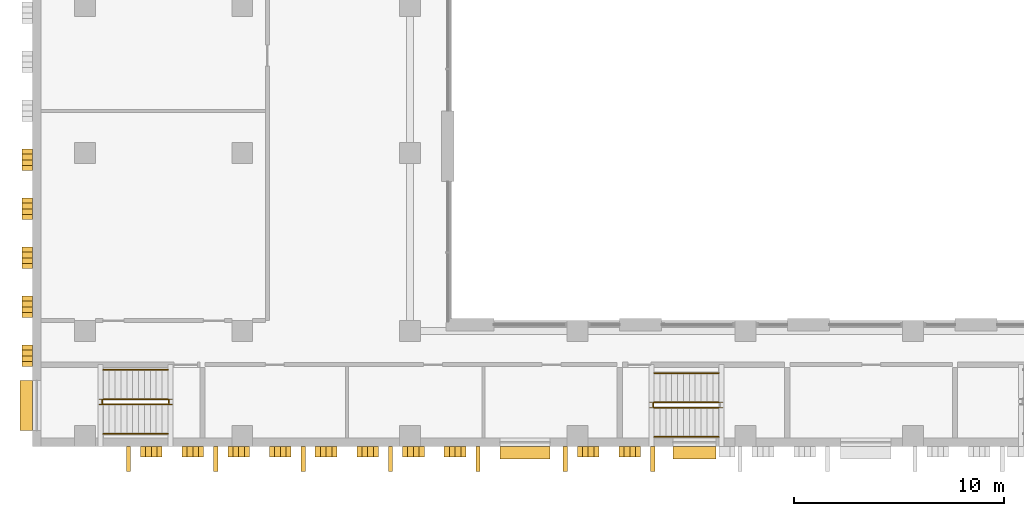
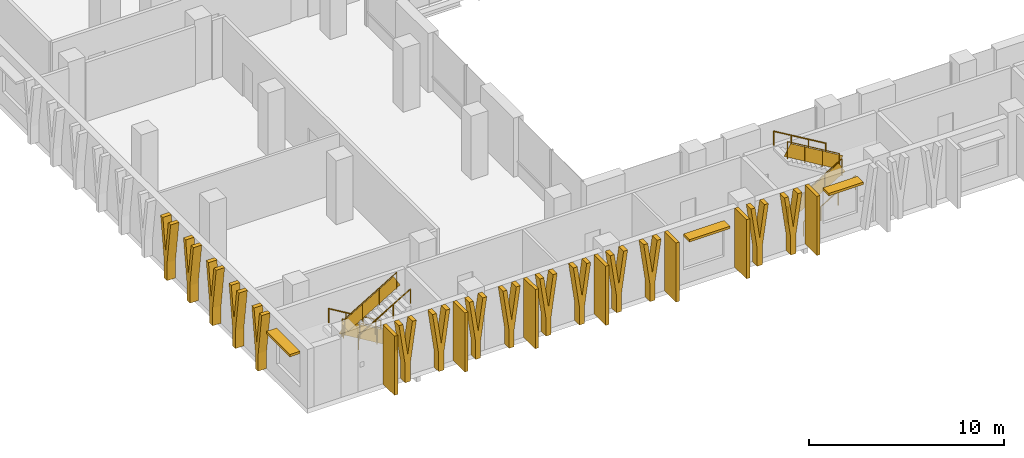
# One storey, part 18 of 25: 25 shading devices, 11 railings.
"""IFC4 building model written with IfcOpenShell, lengths in metres."""

from ifc_helpers import new_model, si_unit, direction, frame, frame_2d, origin, origin_2d, place, context, subcontext, project, spatial, polyline, rectangle, circle, outline, extrude, material, layer, layer_set, type_object, element, save


model = new_model("IFC4")

# Units and contexts
model_context = context("Model", 3, precision=1e-05, world=origin(), true_north=direction((0.0, 1.0)))
body_context = subcontext(model_context, "Body", "Model", "MODEL_VIEW")
ifc_project = project(units=[si_unit("LENGTHUNIT", "METRE"), si_unit("AREAUNIT", "SQUARE_METRE"), si_unit("VOLUMEUNIT", "CUBIC_METRE"), si_unit("PLANEANGLEUNIT", "RADIAN"), si_unit("MASSUNIT", "GRAM", prefix="KILO")], contexts=[model_context])

# Site, building, storey
site_placement = place(None, origin())
site = spatial("IfcSite", under=ifc_project, at=site_placement, CompositionType="ELEMENT")
building_placement = place(site_placement, origin())
building = spatial("IfcBuilding", under=site, at=building_placement, Name="Vidyagriha Tower", CompositionType="ELEMENT")
storey_placement = place(building_placement, frame((0.0, 0.0, 14.0)))
storey = spatial("IfcBuildingStorey", under=building, at=storey_placement, Name="L03", CompositionType="ELEMENT", Elevation=14.0)

# Shading devices
ifc_material_1 = material(Name="Precast concrete C40/50 with brick facing", Category="concrete")
ifc_layer_1 = layer(ifc_material_1, 0.14990234375)
ifc_layer_set_1 = layer_set([ifc_layer_1], Name="Precast concrete C40/50 with brick facing")
shading_device_type_1 = type_object("IfcShadingDeviceType", Name="Brick chhajja window hood", PredefinedType="AWNING", material=ifc_layer_set_1)
shading_device_1_placement = place(storey_placement, frame((-40.300048828125, -48.050048828125, 3.0), z_axis=(0.0, 0.0, 1.0), x_axis=(0.0, -1.0, 0.0)))
element("IfcShadingDevice", 1, at=shading_device_1_placement, inside=storey, type_object=shading_device_type_1, Name="Window hood L03 R05.19", PredefinedType="AWNING", context=body_context, shape_type="SweptSolid", body=[
    extrude(rectangle(XDim=2.39990234375, YDim=0.60009765625, at=origin_2d()), origin(), (0.0, 0.0, 1.0), 0.14990234375),
])
shading_device_2_placement = place(storey_placement, frame((-16.514892578125, -50.300048828125, 3.0)))
element("IfcShadingDevice", 2, at=shading_device_2_placement, inside=storey, type_object=shading_device_type_1, Name="Window hood L03 R06.13", PredefinedType="AWNING", context=body_context, shape_type="SweptSolid", body=[
    extrude(rectangle(XDim=2.39990234375, YDim=0.60009765625, at=origin_2d()), origin(), (0.0, 0.0, 1.0), 0.14990234375),
])
shading_device_3_placement = place(storey_placement, frame((-8.43994140625, -50.300048828125, 3.0)))
element("IfcShadingDevice", 3, at=shading_device_3_placement, inside=storey, type_object=shading_device_type_1, Name="Window hood L03 R06.17", PredefinedType="AWNING", context=body_context, shape_type="SweptSolid", body=[
    extrude(rectangle(XDim=2.050048828125, YDim=0.60009765625, at=origin_2d()), origin(), (0.0, 0.0, 1.0), 0.14990234375),
])
ifc_material_2 = material(Name="Precast concrete C40/50 with buff brick facing", Category="concrete")
ifc_layer_2 = layer(ifc_material_2, 0.300048828125)
ifc_layer_set_2 = layer_set([ifc_layer_2], Name="Precast concrete C40/50 with buff brick facing")
shading_device_type_2 = type_object("IfcShadingDeviceType", Name="Brick-faced podium blade forking 8 degrees", PredefinedType="USERDEFINED", material=ifc_layer_set_2)
for number, where, z_axis, x_axis, name in (
    (4, (-40.25, -35.81591796875, 0.0), (0.0, 0.0, 1.0), (0.0, -1.0, 0.0), "Podium blade L03 R05.5633"),
    (5, (-40.25, -38.1533203125, 0.0), (0.0, 0.0, 1.0), (0.0, -1.0, 0.0), "Podium blade L03 R05.5867"),
    (6, (-40.25, -40.49072265625, 0.0), (0.0, 0.0, 1.0), (0.0, -1.0, 0.0), "Podium blade L03 R05.6101"),
    (7, (-40.25, -42.828369140625, 0.0), (0.0, 0.0, 1.0), (0.0, -1.0, 0.0), "Podium blade L03 R05.6334"),
    (8, (-40.25, -45.165771484375, 0.0), (0.0, 0.0, 1.0), (0.0, -1.0, 0.0), "Podium blade L03 R05.6568"),
):
    element("IfcShadingDevice", number, at=place(storey_placement, frame(where, z_axis=z_axis, x_axis=x_axis)), inside=storey, type_object=shading_device_type_2, Name=name, ObjectType="BLADE FIN", PredefinedType="USERDEFINED", context=body_context, shape_type="SweptSolid", body=[
        extrude(outline(polyline([(0.665283203125, 0.0), (0.665283203125, 1.10009765625), (1.03076171875, 3.699951171875), (0.790771484375, 3.699951171875), (0.515380859375, 1.740478515625), (0.239990234375, 3.699951171875), (0.0, 3.699951171875), (0.365478515625, 1.10009765625), (0.365478515625, 0.0), (0.665283203125, 0.0)])), frame((0.0, 0.25, 0.0), z_axis=(0.0, -1.0, 0.0), x_axis=(1.0, 0.0, 0.0)), (0.0, 0.0, 1.0), 0.5),
    ])
for number, where, name in (
    (9, (-34.85498046875, -50.25, 0.0), "Podium blade L03 R06.526"),
    (10, (-32.87060546875, -50.25, 0.0), "Podium blade L03 R06.724"),
    (11, (-30.6865234375, -50.25, 0.0), "Podium blade L03 R06.943"),
    (12, (-28.7021484375, -50.25, 0.0), "Podium blade L03 R06.1141"),
    (13, (-26.51806640625, -50.25, 0.0), "Podium blade L03 R06.1360"),
    (14, (-24.53369140625, -50.25, 0.0), "Podium blade L03 R06.1558"),
    (15, (-22.349609375, -50.25, 0.0), "Podium blade L03 R06.1777"),
    (16, (-20.365478515625, -50.25, 0.0), "Podium blade L03 R06.1975"),
    (17, (-14.0126953125, -50.25, 0.0), "Podium blade L03 R06.2610"),
    (18, (-12.028564453125, -50.25, 0.0), "Podium blade L03 R06.2809"),
):
    element("IfcShadingDevice", number, at=place(storey_placement, frame(where)), inside=storey, type_object=shading_device_type_2, Name=name, ObjectType="BLADE FIN", PredefinedType="USERDEFINED", context=body_context, shape_type="SweptSolid", body=[
        extrude(outline(polyline([(0.665283203125, 0.0), (0.665283203125, 1.10009765625), (1.03076171875, 3.699951171875), (0.790771484375, 3.699951171875), (0.515380859375, 1.740478515625), (0.239990234375, 3.699951171875), (0.0, 3.699951171875), (0.365478515625, 1.10009765625), (0.365478515625, 0.0), (0.665283203125, 0.0)])), frame((0.0, 0.25, 0.0), z_axis=(0.0, -1.0, 0.0), x_axis=(1.0, 0.0, 0.0)), (0.0, 0.0, 1.0), 0.5),
    ])
ifc_material_3 = material(Name="Precast concrete C40/50 with brick facing", Category="concrete")
ifc_layer_3 = layer(ifc_material_3, 0.199951171875)
ifc_layer_set_3 = layer_set([ifc_layer_3], Name="Precast concrete C40/50 with brick facing")
shading_device_type_3 = type_object("IfcShadingDeviceType", Name="Brick-faced solar fin 1200", PredefinedType="USERDEFINED", material=ifc_layer_set_3)
for number, where, z_axis, x_axis, name in (
    (19, (-35.431640625, -50.0, 0.0), (0.0, 0.0, 1.0), (0.0, -1.0, 0.0), "Solar fin L03 R06.1"),
    (20, (-31.26318359375, -50.0, 0.0), (0.0, 0.0, 1.0), (0.0, -1.0, 0.0), "Solar fin L03 R06.2"),
    (21, (-27.0947265625, -50.0, 0.0), (0.0, 0.0, 1.0), (0.0, -1.0, 0.0), "Solar fin L03 R06.3"),
    (22, (-22.92626953125, -50.0, 0.0), (0.0, 0.0, 1.0), (0.0, -1.0, 0.0), "Solar fin L03 R06.4"),
    (23, (-18.7578125, -50.0, 0.0), (0.0, 0.0, 1.0), (0.0, -1.0, 0.0), "Solar fin L03 R06.5"),
    (24, (-14.589599609375, -50.0, 0.0), (0.0, 0.0, 1.0), (0.0, -1.0, 0.0), "Solar fin L03 R06.6"),
    (25, (-10.421142578125, -50.0, 0.0), (0.0, 0.0, 1.0), (0.0, -1.0, 0.0), "Solar fin L03 R06.7"),
):
    element("IfcShadingDevice", number, at=place(storey_placement, frame(where, z_axis=z_axis, x_axis=x_axis)), inside=storey, type_object=shading_device_type_3, Name=name, ObjectType="SOLAR FIN", PredefinedType="USERDEFINED", context=body_context, shape_type="SweptSolid", body=[
        extrude(rectangle(XDim=1.199951171875, YDim=0.199951171875, at=frame_2d((0.60009765625, 0.0))), origin(), (0.0, 0.0, 1.0), 3.699951171875),
    ])

# Railings
ifc_material_4 = material(Name="Powder coated ASTM A500 Grade C steel balustrade", Category="steel")
railing_type_1 = type_object("IfcRailingType", Name="Podium Stair Guard 1100", PredefinedType="GUARDRAIL", material=ifc_material_4)
railing_1_placement = place(storey_placement, frame((-33.544921875, -47.75, 0.166748046875)))
element("IfcRailing", 26, at=railing_1_placement, inside=storey, type_object=railing_type_1, Name="L03 PS1 stair guard 1", PredefinedType="GUARDRAIL", context=body_context, shape_type="SweptSolid", body=[
    extrude(circle(Radius=0.02392578125, at=origin_2d()), frame((0.0, 0.0, 1.076171875), z_axis=(-0.859308565015, 0.0, 0.511457515432), x_axis=(0.0, -1.0, 0.0)), (0.0, 0.0, 1.0), 3.58447265625),
    extrude(circle(Radius=0.02099609375, at=origin_2d()), origin(), (0.0, 0.0, 1.0), 1.052001953125),
    extrude(circle(Radius=0.02099609375, at=origin_2d()), frame((-1.026611328125, 0.0, 0.611083984375)), (0.0, 0.0, 1.0), 1.052001953125),
    extrude(circle(Radius=0.02099609375, at=origin_2d()), frame((-2.053466796875, 0.0, 1.22216796875)), (0.0, 0.0, 1.0), 1.052001953125),
    extrude(circle(Radius=0.02099609375, at=origin_2d()), frame((-3.080078125, 0.0, 1.833251953125)), (0.0, 0.0, 1.0), 1.052001953125),
    extrude(rectangle(XDim=0.010009765625, YDim=0.775146484375, at=origin_2d()), frame((0.0, 0.0, 0.551025390625), z_axis=(-0.859308565015, 0.0, 0.511457515432), x_axis=(0.0, -1.0, 0.0)), (0.0, 0.0, 1.0), 3.58447265625),
])
railing_2_placement = place(storey_placement, frame((-36.675048828125, -47.800048828125, 2.0)))
element("IfcRailing", 27, at=railing_2_placement, inside=storey, type_object=railing_type_1, Name="L03 PS1 stair guard 2", PredefinedType="GUARDRAIL", context=body_context, shape_type="SweptSolid", body=[
    extrude(circle(Radius=0.02392578125, at=origin_2d()), frame((0.0, 0.0, 1.076171875), z_axis=(0.0, -1.0, 0.0), x_axis=(1.0, 0.0, 0.0)), (0.0, 0.0, 1.0), 0.14990234375),
    extrude(circle(Radius=0.02099609375, at=origin_2d()), origin(), (0.0, 0.0, 1.0), 1.052001953125),
    extrude(circle(Radius=0.02099609375, at=origin_2d()), frame((0.0, -0.14990234375, 0.0)), (0.0, 0.0, 1.0), 1.052001953125),
    extrude(rectangle(XDim=0.010009765625, YDim=0.902099609375, at=origin_2d()), frame((0.0, 0.0, 0.551025390625), z_axis=(0.0, -1.0, 0.0), x_axis=(1.0, 0.0, 0.0)), (0.0, 0.0, 1.0), 0.14990234375),
])
railing_3_placement = place(storey_placement, frame((-36.625, -48.0, 2.166748046875)))
element("IfcRailing", 28, at=railing_3_placement, inside=storey, type_object=railing_type_1, Name="L03 PS1 stair guard 3", PredefinedType="GUARDRAIL", context=body_context, shape_type="SweptSolid", body=[
    extrude(circle(Radius=0.02392578125, at=origin_2d()), frame((0.0, 0.0, 1.076171875), z_axis=(0.859308565015, 0.0, 0.511457515432), x_axis=(0.0, 1.0, 0.0)), (0.0, 0.0, 1.0), 3.58447265625),
    extrude(circle(Radius=0.02099609375, at=origin_2d()), origin(), (0.0, 0.0, 1.0), 1.052001953125),
    extrude(circle(Radius=0.02099609375, at=origin_2d()), frame((1.026611328125, 0.0, 0.611083984375)), (0.0, 0.0, 1.0), 1.052001953125),
    extrude(circle(Radius=0.02099609375, at=origin_2d()), frame((2.053466796875, 0.0, 1.22216796875)), (0.0, 0.0, 1.0), 1.052001953125),
    extrude(circle(Radius=0.02099609375, at=origin_2d()), frame((3.080078125, 0.0, 1.833251953125)), (0.0, 0.0, 1.0), 1.052001953125),
    extrude(rectangle(XDim=0.010009765625, YDim=0.775146484375, at=origin_2d()), frame((0.0, 0.0, 0.551025390625), z_axis=(0.859308565015, 0.0, 0.511457515432), x_axis=(0.0, 1.0, 0.0)), (0.0, 0.0, 1.0), 3.58447265625),
])
railing_4_placement = place(storey_placement, frame((-33.4951171875, -47.800048828125, 0.0)))
element("IfcRailing", 29, at=railing_4_placement, inside=storey, type_object=railing_type_1, Name="L03 PS1 stair guard 4", PredefinedType="GUARDRAIL", context=body_context, shape_type="SweptSolid", body=[
    extrude(circle(Radius=0.02392578125, at=origin_2d()), frame((0.0, 0.0, 1.076171875), z_axis=(0.0, -1.0, 0.0), x_axis=(1.0, 0.0, 0.0)), (0.0, 0.0, 1.0), 0.14990234375),
    extrude(circle(Radius=0.02099609375, at=origin_2d()), origin(), (0.0, 0.0, 1.0), 1.052001953125),
    extrude(circle(Radius=0.02099609375, at=origin_2d()), frame((0.0, -0.14990234375, 0.0)), (0.0, 0.0, 1.0), 1.052001953125),
    extrude(rectangle(XDim=0.010009765625, YDim=0.902099609375, at=origin_2d()), frame((0.0, 0.0, 0.551025390625), z_axis=(0.0, -1.0, 0.0), x_axis=(1.0, 0.0, 0.0)), (0.0, 0.0, 1.0), 0.14990234375),
])
railing_5_placement = place(storey_placement, frame((-10.35498046875, -48.14990234375, 0.166748046875)))
element("IfcRailing", 30, at=railing_5_placement, inside=storey, type_object=railing_type_1, Name="L03 PS3 stair guard 1", PredefinedType="GUARDRAIL", context=body_context, shape_type="SweptSolid", body=[
    extrude(circle(Radius=0.02392578125, at=origin_2d()), frame((0.0, 0.0, 1.076171875), z_axis=(0.859308565015, 0.0, 0.511457515432), x_axis=(0.0, 1.0, 0.0)), (0.0, 0.0, 1.0), 3.58447265625),
    extrude(circle(Radius=0.02099609375, at=origin_2d()), origin(), (0.0, 0.0, 1.0), 1.052001953125),
    extrude(circle(Radius=0.02099609375, at=origin_2d()), frame((1.026611328125, 0.0, 0.611083984375)), (0.0, 0.0, 1.0), 1.052001953125),
    extrude(circle(Radius=0.02099609375, at=origin_2d()), frame((2.053466796875, 0.0, 1.22216796875)), (0.0, 0.0, 1.0), 1.052001953125),
    extrude(circle(Radius=0.02099609375, at=origin_2d()), frame((3.080078125, 0.0, 1.833251953125)), (0.0, 0.0, 1.0), 1.052001953125),
    extrude(rectangle(XDim=0.010009765625, YDim=0.775146484375, at=origin_2d()), frame((0.0, 0.0, 0.551025390625), z_axis=(0.859308565015, 0.0, 0.511457515432), x_axis=(0.0, 1.0, 0.0)), (0.0, 0.0, 1.0), 3.58447265625),
])
railing_6_placement = place(storey_placement, frame((-7.27490234375, -47.89990234375, 2.166748046875)))
element("IfcRailing", 31, at=railing_6_placement, inside=storey, type_object=railing_type_1, Name="L03 PS3 stair guard 3", PredefinedType="GUARDRAIL", context=body_context, shape_type="SweptSolid", body=[
    extrude(circle(Radius=0.02392578125, at=origin_2d()), frame((0.0, 0.0, 1.076171875), z_axis=(-0.859308565015, 0.0, 0.511457515432), x_axis=(0.0, -1.0, 0.0)), (0.0, 0.0, 1.0), 3.58447265625),
    extrude(circle(Radius=0.02099609375, at=origin_2d()), origin(), (0.0, 0.0, 1.0), 1.052001953125),
    extrude(circle(Radius=0.02099609375, at=origin_2d()), frame((-1.026611328125, 0.0, 0.611083984375)), (0.0, 0.0, 1.0), 1.052001953125),
    extrude(circle(Radius=0.02099609375, at=origin_2d()), frame((-2.053466796875, 0.0, 1.22216796875)), (0.0, 0.0, 1.0), 1.052001953125),
    extrude(circle(Radius=0.02099609375, at=origin_2d()), frame((-3.080078125, 0.0, 1.833251953125)), (0.0, 0.0, 1.0), 1.052001953125),
    extrude(rectangle(XDim=0.010009765625, YDim=0.775146484375, at=origin_2d()), frame((0.0, 0.0, 0.551025390625), z_axis=(-0.859308565015, 0.0, 0.511457515432), x_axis=(0.0, -1.0, 0.0)), (0.0, 0.0, 1.0), 3.58447265625),
])
railing_7_placement = place(storey_placement, frame((-10.405029296875, -48.10009765625, 0.0)))
element("IfcRailing", 32, at=railing_7_placement, inside=storey, type_object=railing_type_1, Name="L03 PS3 stair guard 4", PredefinedType="GUARDRAIL", context=body_context, shape_type="SweptSolid", body=[
    extrude(circle(Radius=0.02392578125, at=origin_2d()), frame((0.0, 0.0, 1.076171875), z_axis=(0.0, 1.0, 0.0), x_axis=(-1.0, 0.0, 0.0)), (0.0, 0.0, 1.0), 0.150146484375),
    extrude(circle(Radius=0.02099609375, at=origin_2d()), origin(), (0.0, 0.0, 1.0), 1.052001953125),
    extrude(circle(Radius=0.02099609375, at=origin_2d()), frame((0.0, 0.150146484375, 0.0)), (0.0, 0.0, 1.0), 1.052001953125),
    extrude(rectangle(XDim=0.010009765625, YDim=0.902099609375, at=origin_2d()), frame((0.0, 0.0, 0.551025390625), z_axis=(0.0, 1.0, 0.0), x_axis=(-1.0, 0.0, 0.0)), (0.0, 0.0, 1.0), 0.150146484375),
])
ifc_material_5 = material(Name="Powder coated ASTM A500 Grade C steel handrail", Category="steel")
railing_type_2 = type_object("IfcRailingType", Name="Podium Stair Handrail 900", PredefinedType="HANDRAIL", material=ifc_material_5)
railing_8_placement = place(storey_placement, frame((-33.544921875, -46.35009765625, 0.166748046875)))
element("IfcRailing", 33, at=railing_8_placement, inside=storey, type_object=railing_type_2, Name="L03 PS1 stair handrail 1", PredefinedType="HANDRAIL", context=body_context, shape_type="SweptSolid", body=[
    extrude(circle(Radius=0.02392578125, at=origin_2d()), frame((0.0, 0.0, 0.8759765625), z_axis=(-0.859308565015, 0.0, 0.511457515432), x_axis=(0.0, -1.0, 0.0)), (0.0, 0.0, 1.0), 3.58447265625),
    extrude(circle(Radius=0.02099609375, at=origin_2d()), origin(), (0.0, 0.0, 1.0), 0.851806640625),
    extrude(circle(Radius=0.02099609375, at=origin_2d()), frame((-1.026611328125, 0.0, 0.611083984375)), (0.0, 0.0, 1.0), 0.851806640625),
    extrude(circle(Radius=0.02099609375, at=origin_2d()), frame((-2.053466796875, 0.0, 1.22216796875)), (0.0, 0.0, 1.0), 0.851806640625),
    extrude(circle(Radius=0.02099609375, at=origin_2d()), frame((-3.080078125, 0.0, 1.833251953125)), (0.0, 0.0, 1.0), 0.851806640625),
])
for number, where, name in (
    (34, (-36.625, -49.39990234375, 2.166748046875), "L03 PS1 stair handrail 2"),
    (35, (-10.35498046875, -49.550048828125, 0.166748046875), "L03 PS3 stair handrail 1"),
):
    element("IfcRailing", number, at=place(storey_placement, frame(where)), inside=storey, type_object=railing_type_2, Name=name, PredefinedType="HANDRAIL", context=body_context, shape_type="SweptSolid", body=[
        extrude(circle(Radius=0.02392578125, at=origin_2d()), frame((0.0, 0.0, 0.8759765625), z_axis=(0.859308565015, 0.0, 0.511457515432), x_axis=(0.0, 1.0, 0.0)), (0.0, 0.0, 1.0), 3.58447265625),
        extrude(circle(Radius=0.02099609375, at=origin_2d()), origin(), (0.0, 0.0, 1.0), 0.851806640625),
        extrude(circle(Radius=0.02099609375, at=origin_2d()), frame((1.026611328125, 0.0, 0.611083984375)), (0.0, 0.0, 1.0), 0.851806640625),
        extrude(circle(Radius=0.02099609375, at=origin_2d()), frame((2.053466796875, 0.0, 1.22216796875)), (0.0, 0.0, 1.0), 0.851806640625),
        extrude(circle(Radius=0.02099609375, at=origin_2d()), frame((3.080078125, 0.0, 1.833251953125)), (0.0, 0.0, 1.0), 0.851806640625),
    ])
railing_9_placement = place(storey_placement, frame((-7.27490234375, -46.5, 2.166748046875)))
element("IfcRailing", 36, at=railing_9_placement, inside=storey, type_object=railing_type_2, Name="L03 PS3 stair handrail 2", PredefinedType="HANDRAIL", context=body_context, shape_type="SweptSolid", body=[
    extrude(circle(Radius=0.02392578125, at=origin_2d()), frame((0.0, 0.0, 0.8759765625), z_axis=(-0.859308565015, 0.0, 0.511457515432), x_axis=(0.0, -1.0, 0.0)), (0.0, 0.0, 1.0), 3.58447265625),
    extrude(circle(Radius=0.02099609375, at=origin_2d()), origin(), (0.0, 0.0, 1.0), 0.851806640625),
    extrude(circle(Radius=0.02099609375, at=origin_2d()), frame((-1.026611328125, 0.0, 0.611083984375)), (0.0, 0.0, 1.0), 0.851806640625),
    extrude(circle(Radius=0.02099609375, at=origin_2d()), frame((-2.053466796875, 0.0, 1.22216796875)), (0.0, 0.0, 1.0), 0.851806640625),
    extrude(circle(Radius=0.02099609375, at=origin_2d()), frame((-3.080078125, 0.0, 1.833251953125)), (0.0, 0.0, 1.0), 0.851806640625),
])

save(model, "model.ifc")
